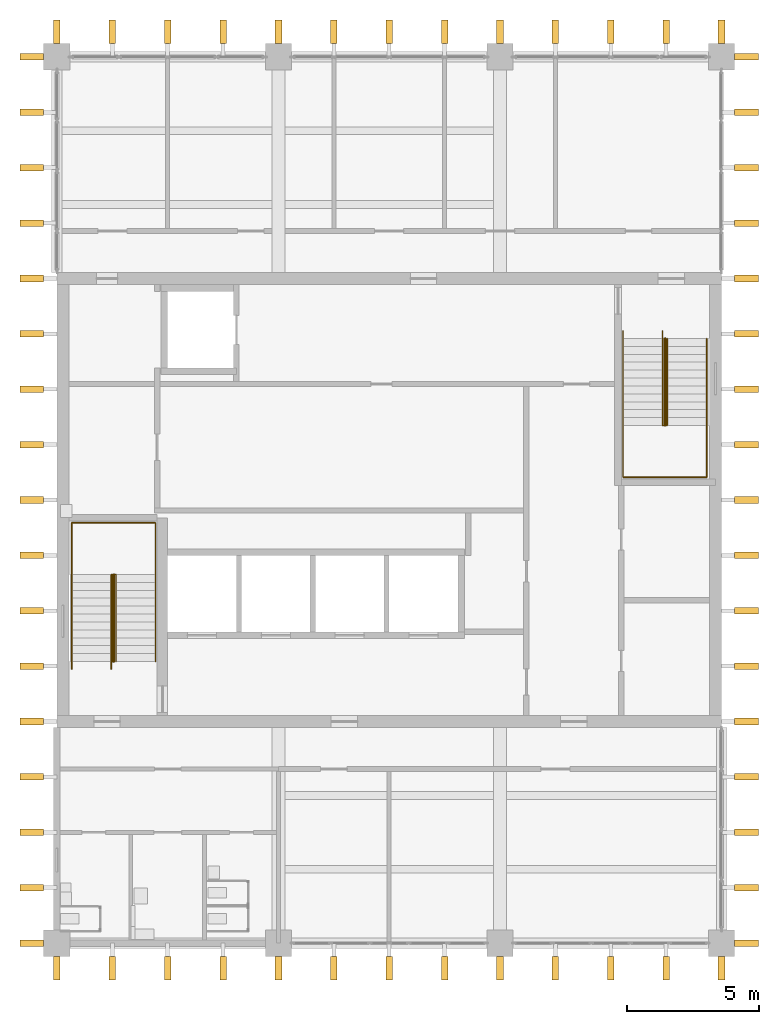
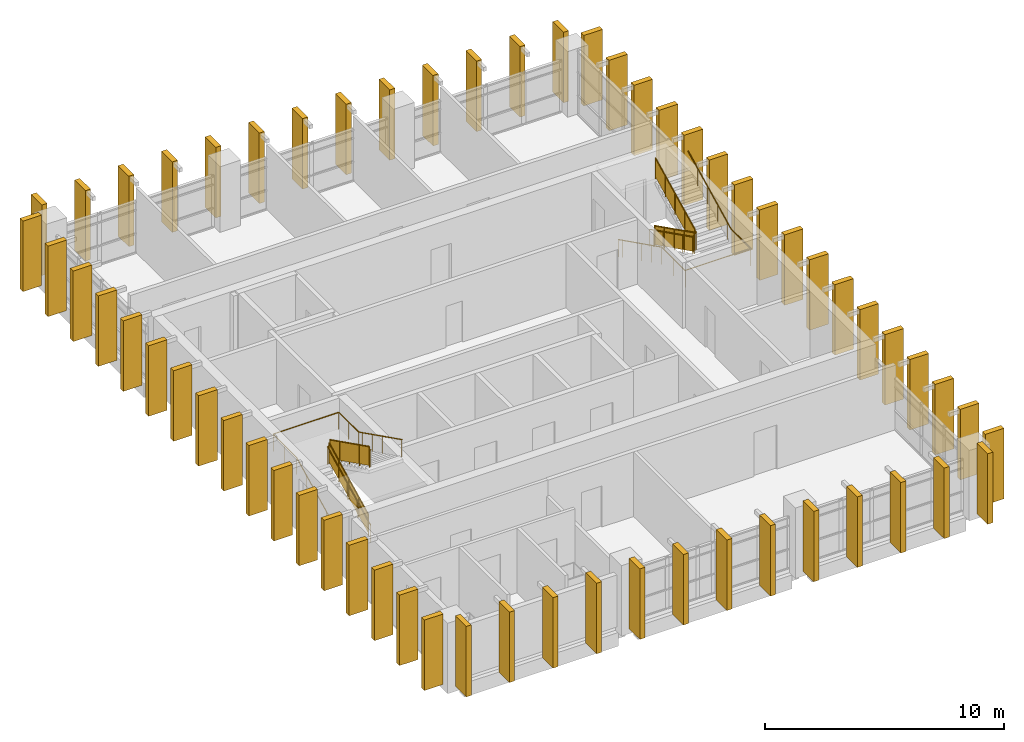
# One storey, part 10 of 11: 60 shading devices, 8 railings.
"""IFC4 building model written with IfcOpenShell, lengths in metres."""

from ifc_helpers import new_model, si_unit, direction, frame, origin, origin_2d, place, context, subcontext, project, spatial, polyline, rectangle, circle, outline, extrude, material, material_profile, profile_set, type_object, element, save


model = new_model("IFC4")

# Units and contexts
model_context = context("Model", 3, precision=1e-05, world=origin(), true_north=direction((0.0, 1.0)))
body_context = subcontext(model_context, "Body", "Model", "MODEL_VIEW")
ifc_project = project(units=[si_unit("LENGTHUNIT", "METRE"), si_unit("AREAUNIT", "SQUARE_METRE"), si_unit("VOLUMEUNIT", "CUBIC_METRE"), si_unit("PLANEANGLEUNIT", "RADIAN"), si_unit("MASSUNIT", "GRAM", prefix="KILO")], contexts=[model_context])

# Site, building, storey
site_placement = place(None, origin())
site = spatial("IfcSite", under=ifc_project, at=site_placement, CompositionType="ELEMENT")
building_placement = place(site_placement, origin())
building = spatial("IfcBuilding", under=site, at=building_placement, Name="Rulbaag Community and Learning Centre", CompositionType="ELEMENT")
storey_placement = place(building_placement, frame((0.0, 0.0, 21.60009765625)))
storey = spatial("IfcBuildingStorey", under=building, at=storey_placement, Name="L05", CompositionType="ELEMENT", Elevation=21.60009765625)

# Shading devices
ifc_material_1 = material(Name="Concrete M40", Category="concrete")
ifc_material_profile = material_profile(ifc_material_1, rectangle(XDim=0.25, YDim=0.89990234375, at=origin_2d()), Name="PC 250x900")
ifc_profile_set = profile_set([ifc_material_profile], Name="Concrete M40")
shading_device_type = type_object("IfcShadingDeviceType", Name="FIN-H", PredefinedType="JALOUSIE", material=ifc_profile_set)
for number, where, z_axis, x_axis, name in (
    (1, (142.800048828125, 83.050048828125, 0.0), (0.0, 0.0, 1.0), (1.0, 0.0, 0.0), "Precast fin"),
    (2, (144.89990234375, 83.050048828125, 0.0), (0.0, 0.0, 1.0), (1.0, 0.0, 0.0), "Precast fin"),
    (3, (147.0, 83.050048828125, 0.0), (0.0, 0.0, 1.0), (1.0, 0.0, 0.0), "Precast fin"),
    (4, (149.10009765625, 83.050048828125, 0.0), (0.0, 0.0, 1.0), (1.0, 0.0, 0.0), "Precast fin"),
    (5, (151.199951171875, 83.050048828125, 0.0), (0.0, 0.0, 1.0), (1.0, 0.0, 0.0), "Precast fin"),
    (6, (153.300048828125, 83.050048828125, 0.0), (0.0, 0.0, 1.0), (1.0, 0.0, 0.0), "Precast fin"),
    (7, (155.39990234375, 83.050048828125, 0.0), (0.0, 0.0, 1.0), (1.0, 0.0, 0.0), "Precast fin"),
    (8, (157.5, 83.050048828125, 0.0), (0.0, 0.0, 1.0), (1.0, 0.0, 0.0), "Precast fin"),
    (9, (159.60009765625, 83.050048828125, 0.0), (0.0, 0.0, 1.0), (1.0, 0.0, 0.0), "Precast fin"),
    (10, (161.699951171875, 83.050048828125, 0.0), (0.0, 0.0, 1.0), (1.0, 0.0, 0.0), "Precast fin"),
    (11, (163.800048828125, 83.050048828125, 0.0), (0.0, 0.0, 1.0), (1.0, 0.0, 0.0), "Precast fin"),
    (12, (165.89990234375, 83.050048828125, 0.0), (0.0, 0.0, 1.0), (1.0, 0.0, 0.0), "Precast fin"),
    (13, (168.0, 83.050048828125, 0.0), (0.0, 0.0, 1.0), (1.0, 0.0, 0.0), "Precast fin"),
    (14, (142.800048828125, 118.550048828125, 0.0), (0.0, 0.0, 1.0), (1.0, 0.0, 0.0), "Precast fin"),
    (15, (144.89990234375, 118.550048828125, 0.0), (0.0, 0.0, 1.0), (1.0, 0.0, 0.0), "Precast fin"),
    (16, (147.0, 118.550048828125, 0.0), (0.0, 0.0, 1.0), (1.0, 0.0, 0.0), "Precast fin"),
    (17, (149.10009765625, 118.550048828125, 0.0), (0.0, 0.0, 1.0), (1.0, 0.0, 0.0), "Precast fin"),
    (18, (151.199951171875, 118.550048828125, 0.0), (0.0, 0.0, 1.0), (1.0, 0.0, 0.0), "Precast fin"),
    (19, (153.300048828125, 118.550048828125, 0.0), (0.0, 0.0, 1.0), (1.0, 0.0, 0.0), "Precast fin"),
    (20, (155.39990234375, 118.550048828125, 0.0), (0.0, 0.0, 1.0), (1.0, 0.0, 0.0), "Precast fin"),
    (21, (157.5, 118.550048828125, 0.0), (0.0, 0.0, 1.0), (1.0, 0.0, 0.0), "Precast fin"),
    (22, (159.60009765625, 118.550048828125, 0.0), (0.0, 0.0, 1.0), (1.0, 0.0, 0.0), "Precast fin"),
    (23, (161.699951171875, 118.550048828125, 0.0), (0.0, 0.0, 1.0), (1.0, 0.0, 0.0), "Precast fin"),
    (24, (163.800048828125, 118.550048828125, 0.0), (0.0, 0.0, 1.0), (1.0, 0.0, 0.0), "Precast fin"),
    (25, (165.89990234375, 118.550048828125, 0.0), (0.0, 0.0, 1.0), (1.0, 0.0, 0.0), "Precast fin"),
    (26, (168.0, 118.550048828125, 0.0), (0.0, 0.0, 1.0), (1.0, 0.0, 0.0), "Precast fin"),
    (27, (141.85009765625, 84.0, 0.0), (0.0, 0.0, 1.0), (0.0, 1.0, 0.0), "Precast fin"),
    (28, (141.85009765625, 86.10009765625, 0.0), (0.0, 0.0, 1.0), (0.0, 1.0, 0.0), "Precast fin"),
    (29, (141.85009765625, 88.199951171875, 0.0), (0.0, 0.0, 1.0), (0.0, 1.0, 0.0), "Precast fin"),
    (30, (141.85009765625, 90.300048828125, 0.0), (0.0, 0.0, 1.0), (0.0, 1.0, 0.0), "Precast fin"),
    (31, (141.85009765625, 92.39990234375, 0.0), (0.0, 0.0, 1.0), (0.0, 1.0, 0.0), "Precast fin"),
    (32, (141.85009765625, 94.5, 0.0), (0.0, 0.0, 1.0), (0.0, 1.0, 0.0), "Precast fin"),
    (33, (141.85009765625, 96.60009765625, 0.0), (0.0, 0.0, 1.0), (0.0, 1.0, 0.0), "Precast fin"),
    (34, (141.85009765625, 98.699951171875, 0.0), (0.0, 0.0, 1.0), (0.0, 1.0, 0.0), "Precast fin"),
    (35, (141.85009765625, 100.800048828125, 0.0), (0.0, 0.0, 1.0), (0.0, 1.0, 0.0), "Precast fin"),
    (36, (141.85009765625, 102.89990234375, 0.0), (0.0, 0.0, 1.0), (0.0, 1.0, 0.0), "Precast fin"),
    (37, (141.85009765625, 105.0, 0.0), (0.0, 0.0, 1.0), (0.0, 1.0, 0.0), "Precast fin"),
    (38, (141.85009765625, 107.10009765625, 0.0), (0.0, 0.0, 1.0), (0.0, 1.0, 0.0), "Precast fin"),
    (39, (141.85009765625, 109.199951171875, 0.0), (0.0, 0.0, 1.0), (0.0, 1.0, 0.0), "Precast fin"),
    (40, (141.85009765625, 111.300048828125, 0.0), (0.0, 0.0, 1.0), (0.0, 1.0, 0.0), "Precast fin"),
    (41, (141.85009765625, 113.39990234375, 0.0), (0.0, 0.0, 1.0), (0.0, 1.0, 0.0), "Precast fin"),
    (42, (141.85009765625, 115.5, 0.0), (0.0, 0.0, 1.0), (0.0, 1.0, 0.0), "Precast fin"),
    (43, (141.85009765625, 117.60009765625, 0.0), (0.0, 0.0, 1.0), (0.0, 1.0, 0.0), "Precast fin"),
    (44, (168.949951171875, 84.0, 0.0), (0.0, 0.0, 1.0), (0.0, 1.0, 0.0), "Precast fin"),
    (45, (168.949951171875, 86.10009765625, 0.0), (0.0, 0.0, 1.0), (0.0, 1.0, 0.0), "Precast fin"),
    (46, (168.949951171875, 88.199951171875, 0.0), (0.0, 0.0, 1.0), (0.0, 1.0, 0.0), "Precast fin"),
    (47, (168.949951171875, 90.300048828125, 0.0), (0.0, 0.0, 1.0), (0.0, 1.0, 0.0), "Precast fin"),
    (48, (168.949951171875, 92.39990234375, 0.0), (0.0, 0.0, 1.0), (0.0, 1.0, 0.0), "Precast fin"),
    (49, (168.949951171875, 94.5, 0.0), (0.0, 0.0, 1.0), (0.0, 1.0, 0.0), "Precast fin"),
    (50, (168.949951171875, 96.60009765625, 0.0), (0.0, 0.0, 1.0), (0.0, 1.0, 0.0), "Precast fin"),
    (51, (168.949951171875, 98.699951171875, 0.0), (0.0, 0.0, 1.0), (0.0, 1.0, 0.0), "Precast fin"),
    (52, (168.949951171875, 100.800048828125, 0.0), (0.0, 0.0, 1.0), (0.0, 1.0, 0.0), "Precast fin"),
    (53, (168.949951171875, 102.89990234375, 0.0), (0.0, 0.0, 1.0), (0.0, 1.0, 0.0), "Precast fin"),
    (54, (168.949951171875, 105.0, 0.0), (0.0, 0.0, 1.0), (0.0, 1.0, 0.0), "Precast fin"),
    (55, (168.949951171875, 107.10009765625, 0.0), (0.0, 0.0, 1.0), (0.0, 1.0, 0.0), "Precast fin"),
    (56, (168.949951171875, 109.199951171875, 0.0), (0.0, 0.0, 1.0), (0.0, 1.0, 0.0), "Precast fin"),
    (57, (168.949951171875, 111.300048828125, 0.0), (0.0, 0.0, 1.0), (0.0, 1.0, 0.0), "Precast fin"),
    (58, (168.949951171875, 113.39990234375, 0.0), (0.0, 0.0, 1.0), (0.0, 1.0, 0.0), "Precast fin"),
    (59, (168.949951171875, 115.5, 0.0), (0.0, 0.0, 1.0), (0.0, 1.0, 0.0), "Precast fin"),
    (60, (168.949951171875, 117.60009765625, 0.0), (0.0, 0.0, 1.0), (0.0, 1.0, 0.0), "Precast fin"),
):
    element("IfcShadingDevice", number, at=place(storey_placement, frame(where, z_axis=z_axis, x_axis=x_axis)), inside=storey, type_object=shading_device_type, Name=name, PredefinedType="JALOUSIE", context=body_context, shape_type="SweptSolid", body=[
        extrude(rectangle(XDim=0.25, YDim=0.89990234375, at=origin_2d()), origin(), (0.0, 0.0, 1.0), 3.599853515625),
    ])

# Railings
ifc_material_2 = material(Name="Galvanised mild steel", Category="steel")
railing_type_1 = type_object("IfcRailingType", Name="GR-1100 GUARD 1100", PredefinedType="GUARDRAIL", material=ifc_material_2)
railing_1_placement = place(storey_placement, frame((144.929931640625, 94.675048828125, 0.14990234375)))
element("IfcRailing", 61, at=railing_1_placement, inside=storey, type_object=railing_type_1, Name="Guard ST1 L05 G", PredefinedType="GUARDRAIL", context=body_context, shape_type="SweptSolid", body=[
    extrude(circle(Radius=0.02490234375, at=origin_2d()), frame((0.0, 0.0, 1.0751953125), z_axis=(0.0, 0.894440424912, 0.447187126696), x_axis=(-1.0, 0.0, 0.0)), (0.0, 0.0, 1.0), 3.689453125),
    extrude(circle(Radius=0.02001953125, at=origin_2d()), origin(), (0.0, 0.0, 1.0), 1.050048828125),
    extrude(circle(Radius=0.02001953125, at=origin_2d()), frame((0.0, 0.824951171875, 0.41259765625)), (0.0, 0.0, 1.0), 1.050048828125),
    extrude(circle(Radius=0.02001953125, at=origin_2d()), frame((0.0, 1.64990234375, 0.824951171875)), (0.0, 0.0, 1.0), 1.050048828125),
    extrude(circle(Radius=0.02001953125, at=origin_2d()), frame((0.0, 2.47509765625, 1.2373046875)), (0.0, 0.0, 1.0), 1.050048828125),
    extrude(circle(Radius=0.02001953125, at=origin_2d()), frame((0.0, 3.300048828125, 1.64990234375)), (0.0, 0.0, 1.0), 1.050048828125),
    extrude(outline(polyline([(0.0, 0.0), (3.300048828125, 1.64990234375), (3.300048828125, 2.599853515625), (0.0, 0.949951171875), (0.0, 0.0)])), frame((-0.0048828125, 0.0, 0.10009765625), z_axis=(1.0, 0.0, 0.0), x_axis=(0.0, 1.0, 0.0)), (0.0, 0.0, 1.0), 0.010009765625),
])
for number, where, name in (
    (62, (144.969970703125, 97.97509765625, 1.949951171875), "Guard ST1 L05 G2"),
    (63, (165.830078125, 106.925048828125, 0.14990234375), "Guard ST2 L05 G"),
):
    element("IfcRailing", number, at=place(storey_placement, frame(where)), inside=storey, type_object=railing_type_1, Name=name, PredefinedType="GUARDRAIL", context=body_context, shape_type="SweptSolid", body=[
        extrude(circle(Radius=0.02490234375, at=origin_2d()), frame((0.0, 0.0, 1.0751953125), z_axis=(0.0, -0.894440424912, 0.447187126696), x_axis=(1.0, 0.0, 0.0)), (0.0, 0.0, 1.0), 3.689453125),
        extrude(circle(Radius=0.02001953125, at=origin_2d()), origin(), (0.0, 0.0, 1.0), 1.050048828125),
        extrude(circle(Radius=0.02001953125, at=origin_2d()), frame((0.0, -0.824951171875, 0.41259765625)), (0.0, 0.0, 1.0), 1.050048828125),
        extrude(circle(Radius=0.02001953125, at=origin_2d()), frame((0.0, -1.64990234375, 0.824951171875)), (0.0, 0.0, 1.0), 1.050048828125),
        extrude(circle(Radius=0.02001953125, at=origin_2d()), frame((0.0, -2.47509765625, 1.2373046875)), (0.0, 0.0, 1.0), 1.050048828125),
        extrude(circle(Radius=0.02001953125, at=origin_2d()), frame((0.0, -3.300048828125, 1.64990234375)), (0.0, 0.0, 1.0), 1.050048828125),
        extrude(outline(polyline([(0.0, 0.0), (3.300048828125, 1.64990234375), (3.300048828125, 2.599853515625), (0.0, 0.949951171875), (0.0, 0.0)])), frame((0.0048828125, 0.0, 0.10009765625), z_axis=(-1.0, 0.0, 0.0), x_axis=(0.0, -1.0, 0.0)), (0.0, 0.0, 1.0), 0.010009765625),
    ])
railing_2_placement = place(storey_placement, frame((165.8701171875, 103.625, 1.949951171875)))
element("IfcRailing", 64, at=railing_2_placement, inside=storey, type_object=railing_type_1, Name="Guard ST2 L05 G2", PredefinedType="GUARDRAIL", context=body_context, shape_type="SweptSolid", body=[
    extrude(circle(Radius=0.02490234375, at=origin_2d()), frame((0.0, 0.0, 1.0751953125), z_axis=(0.0, 0.894440424912, 0.447187126696), x_axis=(-1.0, 0.0, 0.0)), (0.0, 0.0, 1.0), 3.689453125),
    extrude(circle(Radius=0.02001953125, at=origin_2d()), origin(), (0.0, 0.0, 1.0), 1.050048828125),
    extrude(circle(Radius=0.02001953125, at=origin_2d()), frame((0.0, 0.824951171875, 0.41259765625)), (0.0, 0.0, 1.0), 1.050048828125),
    extrude(circle(Radius=0.02001953125, at=origin_2d()), frame((0.0, 1.64990234375, 0.824951171875)), (0.0, 0.0, 1.0), 1.050048828125),
    extrude(circle(Radius=0.02001953125, at=origin_2d()), frame((0.0, 2.47509765625, 1.2373046875)), (0.0, 0.0, 1.0), 1.050048828125),
    extrude(circle(Radius=0.02001953125, at=origin_2d()), frame((0.0, 3.300048828125, 1.64990234375)), (0.0, 0.0, 1.0), 1.050048828125),
    extrude(outline(polyline([(0.0, 0.0), (3.300048828125, 1.64990234375), (3.300048828125, 2.599853515625), (0.0, 0.949951171875), (0.0, 0.0)])), frame((-0.0048828125, 0.0, 0.10009765625), z_axis=(1.0, 0.0, 0.0), x_axis=(0.0, 1.0, 0.0)), (0.0, 0.0, 1.0), 0.010009765625),
])
ifc_material_3 = material(Name="Stainless steel grade 316", Category="steel")
railing_type_2 = type_object("IfcRailingType", Name="HR-900 HANDRAIL 900", PredefinedType="HANDRAIL", material=ifc_material_3)
railing_3_placement = place(storey_placement, frame((143.360107421875, 94.375, 0.0)))
element("IfcRailing", 65, at=railing_3_placement, inside=storey, type_object=railing_type_2, Name="Handrail ST1 L05 O", PredefinedType="HANDRAIL", context=body_context, shape_type="SweptSolid", body=[
    extrude(circle(Radius=0.024169921875, at=origin_2d()), frame((0.0, 0.0, 0.875732421875), z_axis=(0.0, 0.894572720946, 0.446922417137), x_axis=(-1.0, 0.0, 0.0)), (0.0, 0.0, 1.0), 0.33544921875),
    extrude(circle(Radius=0.024169921875, at=origin_2d()), frame((0.0, 0.300048828125, 1.025634765625), z_axis=(0.0, 0.894440424912, 0.447187126696), x_axis=(-1.0, 0.0, 0.0)), (0.0, 0.0, 1.0), 3.689453125),
    extrude(circle(Radius=0.024169921875, at=origin_2d()), frame((0.0, 3.60009765625, 2.675537109375), z_axis=(0.0, 1.0, 0.0), x_axis=(-1.0, 0.0, 0.0)), (0.0, 0.0, 1.0), 1.96484375),
    extrude(circle(Radius=0.024169921875, at=origin_2d()), frame((0.0, 5.56494140625, 2.675537109375), z_axis=(1.0, 0.0, 0.0), x_axis=(0.0, 1.0, 0.0)), (0.0, 0.0, 1.0), 3.179931640625),
    extrude(circle(Radius=0.024169921875, at=origin_2d()), frame((3.179931640625, 5.56494140625, 2.675537109375), z_axis=(0.0, -1.0, 0.0), x_axis=(1.0, 0.0, 0.0)), (0.0, 0.0, 1.0), 1.6650390625),
    extrude(circle(Radius=0.024169921875, at=origin_2d()), frame((3.179931640625, 3.89990234375, 2.675537109375), z_axis=(0.0, -0.894135751892, 0.447795999523), x_axis=(1.0, 0.0, 0.0)), (0.0, 0.0, 1.0), 0.335205078125),
    extrude(circle(Radius=0.024169921875, at=origin_2d()), frame((3.179931640625, 3.60009765625, 2.82568359375), z_axis=(0.0, -0.894440424912, 0.447187126696), x_axis=(1.0, 0.0, 0.0)), (0.0, 0.0, 1.0), 3.689453125),
    extrude(circle(Radius=0.008056640625, at=origin_2d()), origin(), (0.0, 0.0, 1.0), 0.8515625),
    extrude(circle(Radius=0.008056640625, at=origin_2d()), frame((0.0, 0.300048828125, 0.14990234375)), (0.0, 0.0, 1.0), 0.8515625),
    extrude(circle(Radius=0.008056640625, at=origin_2d()), frame((0.0, 1.125, 0.5625)), (0.0, 0.0, 1.0), 0.8515625),
    extrude(circle(Radius=0.008056640625, at=origin_2d()), frame((0.0, 1.9501953125, 0.974853515625)), (0.0, 0.0, 1.0), 0.8515625),
    extrude(circle(Radius=0.008056640625, at=origin_2d()), frame((0.0, 2.775146484375, 1.38720703125)), (0.0, 0.0, 1.0), 0.8515625),
    extrude(circle(Radius=0.008056640625, at=origin_2d()), frame((0.0, 3.60009765625, 1.7998046875)), (0.0, 0.0, 1.0), 0.8515625),
    extrude(circle(Radius=0.008056640625, at=origin_2d()), frame((0.0, 4.58251953125, 1.7998046875)), (0.0, 0.0, 1.0), 0.8515625),
    extrude(circle(Radius=0.008056640625, at=origin_2d()), frame((0.0, 5.56494140625, 1.7998046875)), (0.0, 0.0, 1.0), 0.8515625),
    extrude(circle(Radius=0.008056640625, at=origin_2d()), frame((1.06005859375, 5.56494140625, 1.7998046875)), (0.0, 0.0, 1.0), 0.8515625),
    extrude(circle(Radius=0.008056640625, at=origin_2d()), frame((2.119873046875, 5.56494140625, 1.7998046875)), (0.0, 0.0, 1.0), 0.8515625),
    extrude(circle(Radius=0.008056640625, at=origin_2d()), frame((3.179931640625, 5.56494140625, 1.7998046875)), (0.0, 0.0, 1.0), 0.8515625),
    extrude(circle(Radius=0.008056640625, at=origin_2d()), frame((3.179931640625, 4.732421875, 1.7998046875)), (0.0, 0.0, 1.0), 0.8515625),
    extrude(circle(Radius=0.008056640625, at=origin_2d()), frame((3.179931640625, 3.89990234375, 1.7998046875)), (0.0, 0.0, 1.0), 0.8515625),
    extrude(circle(Radius=0.008056640625, at=origin_2d()), frame((3.179931640625, 3.60009765625, 1.949951171875)), (0.0, 0.0, 1.0), 0.8515625),
    extrude(circle(Radius=0.008056640625, at=origin_2d()), frame((3.179931640625, 2.775146484375, 2.3623046875)), (0.0, 0.0, 1.0), 0.8515625),
    extrude(circle(Radius=0.008056640625, at=origin_2d()), frame((3.179931640625, 1.9501953125, 2.77490234375)), (0.0, 0.0, 1.0), 0.8515625),
    extrude(circle(Radius=0.008056640625, at=origin_2d()), frame((3.179931640625, 1.125, 3.1875)), (0.0, 0.0, 1.0), 0.8515625),
    extrude(circle(Radius=0.008056640625, at=origin_2d()), frame((3.179931640625, 0.300048828125, 3.599853515625)), (0.0, 0.0, 1.0), 0.8515625),
])
railing_4_placement = place(storey_placement, frame((144.860107421875, 94.375, 0.0)))
element("IfcRailing", 66, at=railing_4_placement, inside=storey, type_object=railing_type_2, Name="Handrail ST1 L05 I", PredefinedType="HANDRAIL", context=body_context, shape_type="SweptSolid", body=[
    extrude(circle(Radius=0.024169921875, at=origin_2d()), frame((0.0, 0.0, 0.875732421875), z_axis=(0.0, 0.894572720946, 0.446922417137), x_axis=(-1.0, 0.0, 0.0)), (0.0, 0.0, 1.0), 0.33544921875),
    extrude(circle(Radius=0.024169921875, at=origin_2d()), frame((0.0, 0.300048828125, 1.025634765625), z_axis=(0.0, 0.894440424912, 0.447187126696), x_axis=(-1.0, 0.0, 0.0)), (0.0, 0.0, 1.0), 3.689453125),
    extrude(circle(Radius=0.024169921875, at=origin_2d()), frame((0.0, 3.60009765625, 2.675537109375), z_axis=(0.767794148456, 0.0, 0.640696609634), x_axis=(0.0, 1.0, 0.0)), (0.0, 0.0, 1.0), 0.234375),
    extrude(circle(Radius=0.024169921875, at=origin_2d()), frame((0.179931640625, 3.60009765625, 2.82568359375), z_axis=(0.0, -0.894440424912, 0.447187126696), x_axis=(1.0, 0.0, 0.0)), (0.0, 0.0, 1.0), 3.689453125),
    extrude(circle(Radius=0.008056640625, at=origin_2d()), origin(), (0.0, 0.0, 1.0), 0.8515625),
    extrude(circle(Radius=0.008056640625, at=origin_2d()), frame((0.0, 0.300048828125, 0.14990234375)), (0.0, 0.0, 1.0), 0.8515625),
    extrude(circle(Radius=0.008056640625, at=origin_2d()), frame((0.0, 1.125, 0.5625)), (0.0, 0.0, 1.0), 0.8515625),
    extrude(circle(Radius=0.008056640625, at=origin_2d()), frame((0.0, 1.9501953125, 0.974853515625)), (0.0, 0.0, 1.0), 0.8515625),
    extrude(circle(Radius=0.008056640625, at=origin_2d()), frame((0.0, 2.775146484375, 1.38720703125)), (0.0, 0.0, 1.0), 0.8515625),
    extrude(circle(Radius=0.008056640625, at=origin_2d()), frame((0.0, 3.60009765625, 1.7998046875)), (0.0, 0.0, 1.0), 0.8515625),
    extrude(circle(Radius=0.008056640625, at=origin_2d()), frame((0.179931640625, 3.60009765625, 1.949951171875)), (0.0, 0.0, 1.0), 0.8515625),
    extrude(circle(Radius=0.008056640625, at=origin_2d()), frame((0.179931640625, 2.775146484375, 2.3623046875)), (0.0, 0.0, 1.0), 0.8515625),
    extrude(circle(Radius=0.008056640625, at=origin_2d()), frame((0.179931640625, 1.9501953125, 2.77490234375)), (0.0, 0.0, 1.0), 0.8515625),
    extrude(circle(Radius=0.008056640625, at=origin_2d()), frame((0.179931640625, 1.125, 3.1875)), (0.0, 0.0, 1.0), 0.8515625),
    extrude(circle(Radius=0.008056640625, at=origin_2d()), frame((0.179931640625, 0.300048828125, 3.599853515625)), (0.0, 0.0, 1.0), 0.8515625),
])
railing_5_placement = place(storey_placement, frame((164.260009765625, 107.22509765625, 0.0)))
element("IfcRailing", 67, at=railing_5_placement, inside=storey, type_object=railing_type_2, Name="Handrail ST2 L05 O", PredefinedType="HANDRAIL", context=body_context, shape_type="SweptSolid", body=[
    extrude(circle(Radius=0.024169921875, at=origin_2d()), frame((0.0, 0.0, 0.875732421875), z_axis=(0.0, -0.894572720946, 0.446922417137), x_axis=(1.0, 0.0, 0.0)), (0.0, 0.0, 1.0), 0.33544921875),
    extrude(circle(Radius=0.024169921875, at=origin_2d()), frame((0.0, -0.300048828125, 1.025634765625), z_axis=(0.0, -0.894440424912, 0.447187126696), x_axis=(1.0, 0.0, 0.0)), (0.0, 0.0, 1.0), 3.689453125),
    extrude(circle(Radius=0.024169921875, at=origin_2d()), frame((0.0, -3.60009765625, 2.675537109375), z_axis=(0.0, -1.0, 0.0), x_axis=(1.0, 0.0, 0.0)), (0.0, 0.0, 1.0), 1.965087890625),
    extrude(circle(Radius=0.024169921875, at=origin_2d()), frame((0.0, -5.565185546875, 2.675537109375), z_axis=(1.0, 0.0, 0.0), x_axis=(0.0, 1.0, 0.0)), (0.0, 0.0, 1.0), 3.179931640625),
    extrude(circle(Radius=0.024169921875, at=origin_2d()), frame((3.179931640625, -5.565185546875, 2.675537109375), z_axis=(0.0, 1.0, 0.0), x_axis=(-1.0, 0.0, 0.0)), (0.0, 0.0, 1.0), 1.6650390625),
    extrude(circle(Radius=0.024169921875, at=origin_2d()), frame((3.179931640625, -3.900146484375, 2.675537109375), z_axis=(0.0, 0.894281613681, 0.447504631744), x_axis=(-1.0, 0.0, 0.0)), (0.0, 0.0, 1.0), 0.33544921875),
    extrude(circle(Radius=0.024169921875, at=origin_2d()), frame((3.179931640625, -3.60009765625, 2.82568359375), z_axis=(0.0, 0.894440424912, 0.447187126696), x_axis=(-1.0, 0.0, 0.0)), (0.0, 0.0, 1.0), 3.689453125),
    extrude(circle(Radius=0.008056640625, at=origin_2d()), origin(), (0.0, 0.0, 1.0), 0.8515625),
    extrude(circle(Radius=0.008056640625, at=origin_2d()), frame((0.0, -0.300048828125, 0.14990234375)), (0.0, 0.0, 1.0), 0.8515625),
    extrude(circle(Radius=0.008056640625, at=origin_2d()), frame((0.0, -1.125, 0.5625)), (0.0, 0.0, 1.0), 0.8515625),
    extrude(circle(Radius=0.008056640625, at=origin_2d()), frame((0.0, -1.9501953125, 0.974853515625)), (0.0, 0.0, 1.0), 0.8515625),
    extrude(circle(Radius=0.008056640625, at=origin_2d()), frame((0.0, -2.775146484375, 1.38720703125)), (0.0, 0.0, 1.0), 0.8515625),
    extrude(circle(Radius=0.008056640625, at=origin_2d()), frame((0.0, -3.60009765625, 1.7998046875)), (0.0, 0.0, 1.0), 0.8515625),
    extrude(circle(Radius=0.008056640625, at=origin_2d()), frame((0.0, -4.58251953125, 1.7998046875)), (0.0, 0.0, 1.0), 0.8515625),
    extrude(circle(Radius=0.008056640625, at=origin_2d()), frame((0.0, -5.565185546875, 1.7998046875)), (0.0, 0.0, 1.0), 0.8515625),
    extrude(circle(Radius=0.008056640625, at=origin_2d()), frame((1.06005859375, -5.565185546875, 1.7998046875)), (0.0, 0.0, 1.0), 0.8515625),
    extrude(circle(Radius=0.008056640625, at=origin_2d()), frame((2.119873046875, -5.565185546875, 1.7998046875)), (0.0, 0.0, 1.0), 0.8515625),
    extrude(circle(Radius=0.008056640625, at=origin_2d()), frame((3.179931640625, -5.565185546875, 1.7998046875)), (0.0, 0.0, 1.0), 0.8515625),
    extrude(circle(Radius=0.008056640625, at=origin_2d()), frame((3.179931640625, -4.732666015625, 1.7998046875)), (0.0, 0.0, 1.0), 0.8515625),
    extrude(circle(Radius=0.008056640625, at=origin_2d()), frame((3.179931640625, -3.900146484375, 1.7998046875)), (0.0, 0.0, 1.0), 0.8515625),
    extrude(circle(Radius=0.008056640625, at=origin_2d()), frame((3.179931640625, -3.60009765625, 1.949951171875)), (0.0, 0.0, 1.0), 0.8515625),
    extrude(circle(Radius=0.008056640625, at=origin_2d()), frame((3.179931640625, -2.775146484375, 2.3623046875)), (0.0, 0.0, 1.0), 0.8515625),
    extrude(circle(Radius=0.008056640625, at=origin_2d()), frame((3.179931640625, -1.9501953125, 2.77490234375)), (0.0, 0.0, 1.0), 0.8515625),
    extrude(circle(Radius=0.008056640625, at=origin_2d()), frame((3.179931640625, -1.125, 3.1875)), (0.0, 0.0, 1.0), 0.8515625),
    extrude(circle(Radius=0.008056640625, at=origin_2d()), frame((3.179931640625, -0.300048828125, 3.599853515625)), (0.0, 0.0, 1.0), 0.8515625),
])
railing_6_placement = place(storey_placement, frame((165.760009765625, 107.22509765625, 0.0)))
element("IfcRailing", 68, at=railing_6_placement, inside=storey, type_object=railing_type_2, Name="Handrail ST2 L05 I", PredefinedType="HANDRAIL", context=body_context, shape_type="SweptSolid", body=[
    extrude(circle(Radius=0.024169921875, at=origin_2d()), frame((0.0, 0.0, 0.875732421875), z_axis=(0.0, -0.894572720946, 0.446922417137), x_axis=(1.0, 0.0, 0.0)), (0.0, 0.0, 1.0), 0.33544921875),
    extrude(circle(Radius=0.024169921875, at=origin_2d()), frame((0.0, -0.300048828125, 1.025634765625), z_axis=(0.0, -0.894440424912, 0.447187126696), x_axis=(1.0, 0.0, 0.0)), (0.0, 0.0, 1.0), 3.689453125),
    extrude(circle(Radius=0.024169921875, at=origin_2d()), frame((0.0, -3.60009765625, 2.675537109375), z_axis=(0.767794148456, 0.0, 0.640696609634), x_axis=(0.0, 1.0, 0.0)), (0.0, 0.0, 1.0), 0.234375),
    extrude(circle(Radius=0.024169921875, at=origin_2d()), frame((0.179931640625, -3.60009765625, 2.82568359375), z_axis=(0.0, 0.894440424912, 0.447187126696), x_axis=(-1.0, 0.0, 0.0)), (0.0, 0.0, 1.0), 3.689453125),
    extrude(circle(Radius=0.008056640625, at=origin_2d()), origin(), (0.0, 0.0, 1.0), 0.8515625),
    extrude(circle(Radius=0.008056640625, at=origin_2d()), frame((0.0, -0.300048828125, 0.14990234375)), (0.0, 0.0, 1.0), 0.8515625),
    extrude(circle(Radius=0.008056640625, at=origin_2d()), frame((0.0, -1.125, 0.5625)), (0.0, 0.0, 1.0), 0.8515625),
    extrude(circle(Radius=0.008056640625, at=origin_2d()), frame((0.0, -1.9501953125, 0.974853515625)), (0.0, 0.0, 1.0), 0.8515625),
    extrude(circle(Radius=0.008056640625, at=origin_2d()), frame((0.0, -2.775146484375, 1.38720703125)), (0.0, 0.0, 1.0), 0.8515625),
    extrude(circle(Radius=0.008056640625, at=origin_2d()), frame((0.0, -3.60009765625, 1.7998046875)), (0.0, 0.0, 1.0), 0.8515625),
    extrude(circle(Radius=0.008056640625, at=origin_2d()), frame((0.179931640625, -3.60009765625, 1.949951171875)), (0.0, 0.0, 1.0), 0.8515625),
    extrude(circle(Radius=0.008056640625, at=origin_2d()), frame((0.179931640625, -2.775146484375, 2.3623046875)), (0.0, 0.0, 1.0), 0.8515625),
    extrude(circle(Radius=0.008056640625, at=origin_2d()), frame((0.179931640625, -1.9501953125, 2.77490234375)), (0.0, 0.0, 1.0), 0.8515625),
    extrude(circle(Radius=0.008056640625, at=origin_2d()), frame((0.179931640625, -1.125, 3.1875)), (0.0, 0.0, 1.0), 0.8515625),
    extrude(circle(Radius=0.008056640625, at=origin_2d()), frame((0.179931640625, -0.300048828125, 3.599853515625)), (0.0, 0.0, 1.0), 0.8515625),
])

save(model, "model.ifc")
